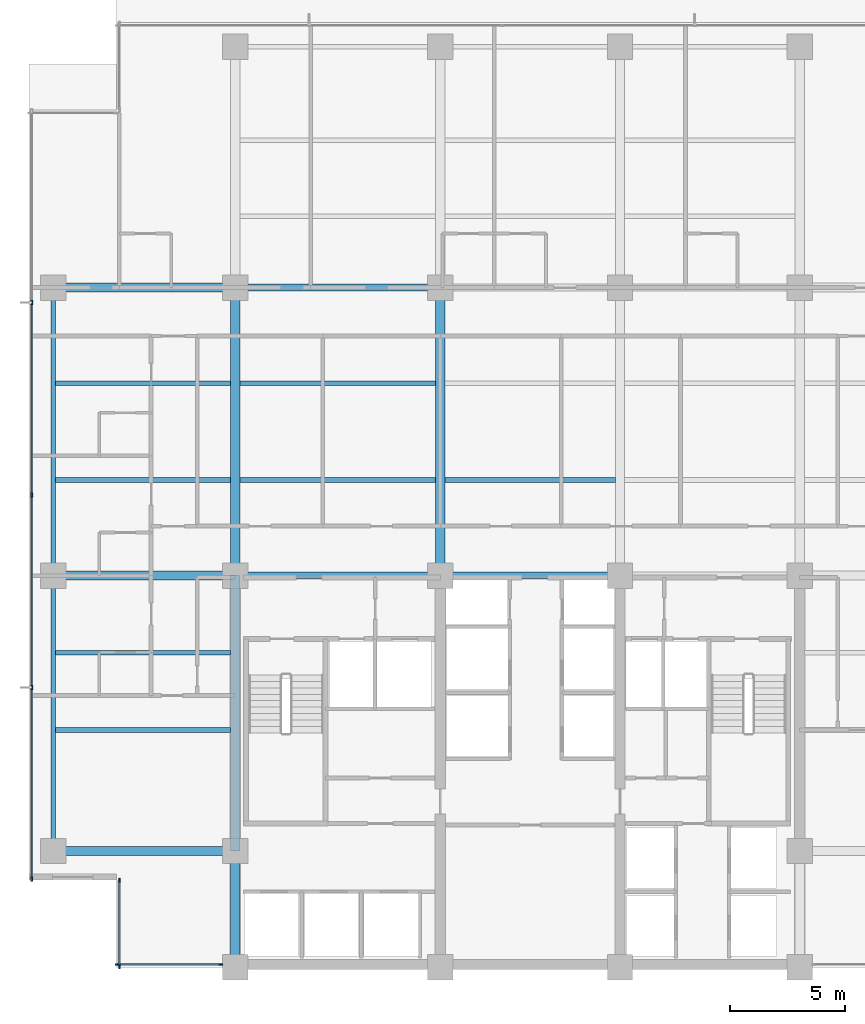
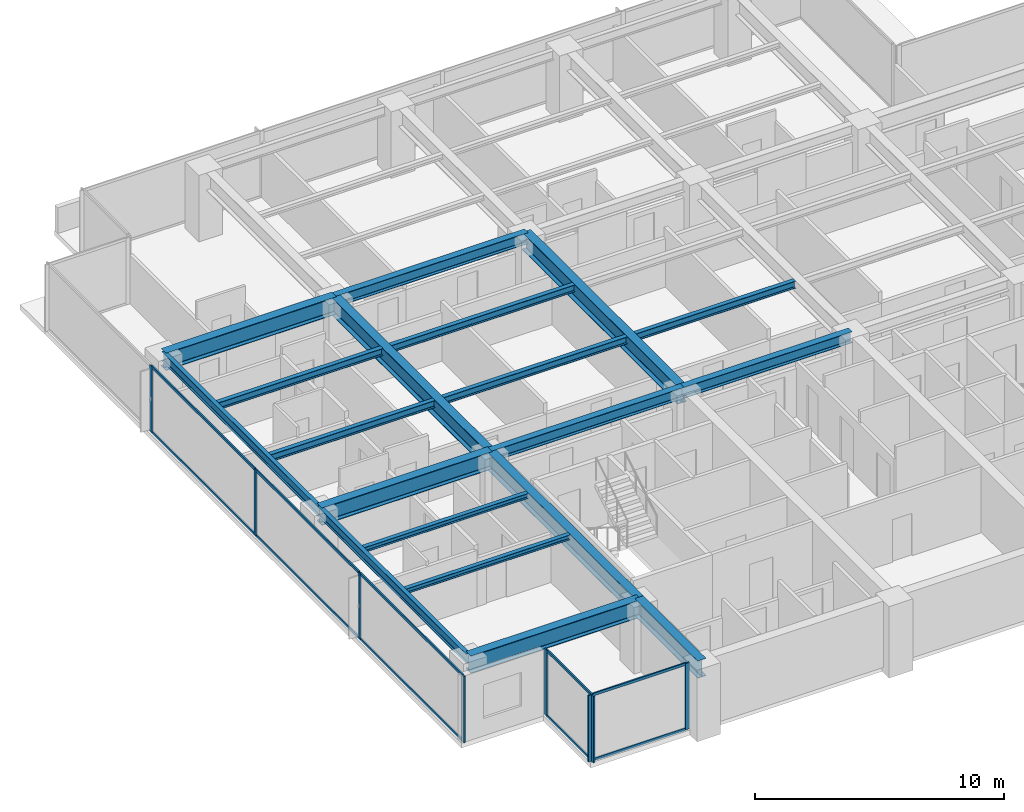
# One storey, part 2 of 16: 19 beams, 18 members, 3 elements without a shape of their own.
"""IFC4 building model written with IfcOpenShell, lengths in metres."""

from ifc_helpers import new_model, si_unit, direction, frame, origin, origin_2d, place, context, subcontext, project, spatial, rectangle, i_section, extrude, material, layer, layer_set, material_profile, profile_set, type_object, element, aggregate, save


model = new_model("IFC4")

# Units and contexts
model_context = context("Model", 3, precision=1e-05, world=origin(), true_north=direction((0.0, 1.0)))
body_context = subcontext(model_context, "Body", "Model", "MODEL_VIEW")
ifc_project = project(units=[si_unit("LENGTHUNIT", "METRE"), si_unit("AREAUNIT", "SQUARE_METRE"), si_unit("VOLUMEUNIT", "CUBIC_METRE"), si_unit("PLANEANGLEUNIT", "RADIAN"), si_unit("MASSUNIT", "GRAM", prefix="KILO")], contexts=[model_context])

# Site, building, storey
site_placement = place(None, origin())
site = spatial("IfcSite", under=ifc_project, at=site_placement, CompositionType="ELEMENT")
building_placement = place(site_placement, origin())
building = spatial("IfcBuilding", under=site, at=building_placement, Name="Qalmaran Belvedere Hotel", CompositionType="ELEMENT")
storey_placement = place(building_placement, frame((0.0, 0.0, 138.60009765625)))
storey = spatial("IfcBuildingStorey", under=building, at=storey_placement, Name="L34", CompositionType="ELEMENT", Elevation=138.60009765625)

# Beams
ifc_material_1 = material(Name="Steel S355JR", Category="steel")
ifc_material_profile_1 = material_profile(ifc_material_1, i_section(OverallWidth=0.201904296875, OverallDepth=0.2470703125, WebThickness=0.00732421875, FlangeThickness=0.010986328125, FilletRadius=0.011962890625, at=origin_2d()), Name="W250X49")
ifc_profile_set_1 = profile_set([ifc_material_profile_1], Name="Steel S355JR")
beam_type_1 = type_object("IfcBeamType", Name="BM-JST-W250X49", PredefinedType="JOIST", material=ifc_profile_set_1)
for number, where, z_axis, x_axis, name in (
    (1, (12.493896484375, 13.800048828125, 3.12646484375), (1.0, 0.0, 0.0), (0.0, 1.0, 0.0), "L34 West Wing Joist 038"),
    (2, (12.493896484375, 17.14990234375, 3.12646484375), (1.0, 0.0, 0.0), (0.0, 1.0, 0.0), "L34 West Wing Joist 040"),
):
    element("IfcBeam", number, at=place(storey_placement, frame(where, z_axis=z_axis, x_axis=x_axis)), inside=storey, type_object=beam_type_1, Name=name, PredefinedType="JOIST", context=body_context, shape_type="SweptSolid", body=[
        extrude(i_section(OverallWidth=0.201904296875, OverallDepth=0.2470703125, WebThickness=0.00732421875, FlangeThickness=0.010986328125, FilletRadius=0.011962890625, at=origin_2d()), origin(), (0.0, 0.0, 1.0), 7.608154296875),
    ])
ifc_material_profile_2 = material_profile(ifc_material_1, i_section(OverallWidth=0.39990234375, OverallDepth=0.85498046875, WebThickness=0.018310546875, FlangeThickness=0.029296875, FilletRadius=0.02392578125, at=origin_2d()), Name="W840X299")
ifc_profile_set_2 = profile_set([ifc_material_profile_2], Name="Steel S355JR")
beam_type_2 = type_object("IfcBeamType", Name="BM-PG3-W840X299", PredefinedType="USERDEFINED", material=ifc_profile_set_2)
for number, where, z_axis, x_axis, name in (
    (3, (20.300048828125, 20.5, 2.822509765625), (0.0, 1.0, 0.0), (-1.0, 0.0, 0.0), "L34 Mid-Plate N-S Girder 14"),
    (4, (29.199951171875, 20.5, 2.822509765625), (0.0, 1.0, 0.0), (-1.0, 0.0, 0.0), "L34 Mid-Plate N-S Girder 16"),
):
    element("IfcBeam", number, at=place(storey_placement, frame(where, z_axis=z_axis, x_axis=x_axis)), inside=storey, type_object=beam_type_2, Name=name, ObjectType="GIRDER", PredefinedType="USERDEFINED", context=body_context, shape_type="SweptSolid", body=[
        extrude(i_section(OverallWidth=0.39990234375, OverallDepth=0.85498046875, WebThickness=0.018310546875, FlangeThickness=0.029296875, FilletRadius=0.02392578125, at=origin_2d()), origin(), (0.0, 0.0, 1.0), 12.5),
    ])
for number, where, z_axis, x_axis, name in (
    (5, (12.39990234375, 8.550048828125, 2.822509765625), (1.0, 0.0, 0.0), (0.0, 1.0, 0.0), "L34 West Wing Girder 22"),
    (6, (12.39990234375, 20.5, 2.822509765625), (1.0, 0.0, 0.0), (0.0, 1.0, 0.0), "L34 West Wing Girder 23"),
    (7, (12.39990234375, 33.0, 2.822509765625), (1.0, 0.0, 0.0), (0.0, 1.0, 0.0), "L34 West Wing Girder 24"),
):
    element("IfcBeam", number, at=place(storey_placement, frame(where, z_axis=z_axis, x_axis=x_axis)), inside=storey, type_object=beam_type_2, Name=name, ObjectType="GIRDER", PredefinedType="USERDEFINED", context=body_context, shape_type="SweptSolid", body=[
        extrude(i_section(OverallWidth=0.39990234375, OverallDepth=0.85498046875, WebThickness=0.018310546875, FlangeThickness=0.029296875, FilletRadius=0.02392578125, at=origin_2d()), origin(), (0.0, 0.0, 1.0), 7.900146484375),
    ])
beam_1_placement = place(storey_placement, frame((20.300048828125, 3.5, 2.822509765625), z_axis=(0.0, 1.0, 0.0), x_axis=(-1.0, 0.0, 0.0)))
element("IfcBeam", 8, at=beam_1_placement, inside=storey, type_object=beam_type_2, Name="L34 West Core Edge Girder A", ObjectType="GIRDER", PredefinedType="USERDEFINED", context=body_context, shape_type="SweptSolid", body=[
    extrude(i_section(OverallWidth=0.39990234375, OverallDepth=0.85498046875, WebThickness=0.018310546875, FlangeThickness=0.029296875, FilletRadius=0.02392578125, at=origin_2d()), origin(), (0.0, 0.0, 1.0), 5.050048828125),
])
beam_2_placement = place(storey_placement, frame((20.300048828125, 8.550048828125, 2.822509765625), z_axis=(0.0, 1.0, 0.0), x_axis=(-1.0, 0.0, 0.0)))
element("IfcBeam", 9, at=beam_2_placement, inside=storey, type_object=beam_type_2, Name="L34 West Core Edge Girder B", ObjectType="GIRDER", PredefinedType="USERDEFINED", context=body_context, shape_type="SweptSolid", body=[
    extrude(i_section(OverallWidth=0.39990234375, OverallDepth=0.85498046875, WebThickness=0.018310546875, FlangeThickness=0.029296875, FilletRadius=0.02392578125, at=origin_2d()), origin(), (0.0, 0.0, 1.0), 11.949951171875),
])
ifc_material_profile_3 = material_profile(ifc_material_1, i_section(OverallWidth=0.205078125, OverallDepth=0.35400390625, WebThickness=0.009521484375, FlangeThickness=0.016845703125, FilletRadius=0.014892578125, at=origin_2d()), Name="W360X79")
ifc_profile_set_3 = profile_set([ifc_material_profile_3], Name="Steel S355JR")
beam_type_3 = type_object("IfcBeamType", Name="BM-SB3-W360X79", PredefinedType="BEAM", material=ifc_profile_set_3)
beam_3_placement = place(storey_placement, frame((12.493896484375, 24.64990234375, 3.072998046875), z_axis=(1.0, 0.0, 0.0), x_axis=(0.0, 1.0, 0.0)))
element("IfcBeam", 10, at=beam_3_placement, inside=storey, type_object=beam_type_3, Name="L34 West Secondary Beam 028", PredefinedType="BEAM", context=body_context, shape_type="SweptSolid", body=[
    extrude(i_section(OverallWidth=0.205078125, OverallDepth=0.35400390625, WebThickness=0.009521484375, FlangeThickness=0.016845703125, FilletRadius=0.014892578125, at=origin_2d()), origin(), (0.0, 0.0, 1.0), 7.608154296875),
])
beam_4_placement = place(storey_placement, frame((20.498046875, 24.64990234375, 3.072998046875), z_axis=(1.0, 0.0, 0.0), x_axis=(0.0, 1.0, 0.0)))
element("IfcBeam", 11, at=beam_4_placement, inside=storey, type_object=beam_type_3, Name="L34 Secondary Floor Beam 029", PredefinedType="BEAM", context=body_context, shape_type="SweptSolid", body=[
    extrude(i_section(OverallWidth=0.205078125, OverallDepth=0.35400390625, WebThickness=0.009521484375, FlangeThickness=0.016845703125, FilletRadius=0.014892578125, at=origin_2d()), origin(), (0.0, 0.0, 1.0), 8.50390625),
])
beam_5_placement = place(storey_placement, frame((29.39794921875, 24.64990234375, 3.072998046875), z_axis=(1.0, 0.0, 0.0), x_axis=(0.0, 1.0, 0.0)))
element("IfcBeam", 12, at=beam_5_placement, inside=storey, type_object=beam_type_3, Name="L34 Secondary Floor Beam 030", PredefinedType="BEAM", context=body_context, shape_type="SweptSolid", body=[
    extrude(i_section(OverallWidth=0.205078125, OverallDepth=0.35400390625, WebThickness=0.009521484375, FlangeThickness=0.016845703125, FilletRadius=0.014892578125, at=origin_2d()), origin(), (0.0, 0.0, 1.0), 7.404052734375),
])
beam_6_placement = place(storey_placement, frame((12.493896484375, 28.85009765625, 3.072998046875), z_axis=(1.0, 0.0, 0.0), x_axis=(0.0, 1.0, 0.0)))
element("IfcBeam", 13, at=beam_6_placement, inside=storey, type_object=beam_type_3, Name="L34 West Secondary Beam 033", PredefinedType="BEAM", context=body_context, shape_type="SweptSolid", body=[
    extrude(i_section(OverallWidth=0.205078125, OverallDepth=0.35400390625, WebThickness=0.009521484375, FlangeThickness=0.016845703125, FilletRadius=0.014892578125, at=origin_2d()), origin(), (0.0, 0.0, 1.0), 7.608154296875),
])
beam_7_placement = place(storey_placement, frame((20.498046875, 28.85009765625, 3.072998046875), z_axis=(1.0, 0.0, 0.0), x_axis=(0.0, 1.0, 0.0)))
element("IfcBeam", 14, at=beam_7_placement, inside=storey, type_object=beam_type_3, Name="L34 Secondary Floor Beam 034", PredefinedType="BEAM", context=body_context, shape_type="SweptSolid", body=[
    extrude(i_section(OverallWidth=0.205078125, OverallDepth=0.35400390625, WebThickness=0.009521484375, FlangeThickness=0.016845703125, FilletRadius=0.014892578125, at=origin_2d()), origin(), (0.0, 0.0, 1.0), 8.50390625),
])
ifc_material_profile_4 = material_profile(ifc_material_1, i_section(OverallWidth=0.19189453125, OverallDepth=0.462890625, WebThickness=0.010498046875, FlangeThickness=0.017578125, FilletRadius=0.01611328125, at=origin_2d()), Name="W460X89")
ifc_profile_set_4 = profile_set([ifc_material_profile_4], Name="Steel S355JR")
beam_type_4 = type_object("IfcBeamType", Name="BM-SP2-W460X89", PredefinedType="SPANDREL", material=ifc_profile_set_4)
beam_8_placement = place(storey_placement, frame((12.39990234375, 8.550048828125, 3.018310546875), z_axis=(0.0, 1.0, 0.0), x_axis=(-1.0, 0.0, 0.0)))
element("IfcBeam", 15, at=beam_8_placement, inside=storey, type_object=beam_type_4, Name="L34 Perimeter Spandrel 01", PredefinedType="SPANDREL", context=body_context, shape_type="SweptSolid", body=[
    extrude(i_section(OverallWidth=0.19189453125, OverallDepth=0.462890625, WebThickness=0.010498046875, FlangeThickness=0.017578125, FilletRadius=0.01611328125, at=origin_2d()), origin(), (0.0, 0.0, 1.0), 11.949951171875),
])
beam_9_placement = place(storey_placement, frame((12.39990234375, 20.5, 3.018310546875), z_axis=(0.0, 1.0, 0.0), x_axis=(-1.0, 0.0, 0.0)))
element("IfcBeam", 16, at=beam_9_placement, inside=storey, type_object=beam_type_4, Name="L34 Perimeter Spandrel 02", PredefinedType="SPANDREL", context=body_context, shape_type="SweptSolid", body=[
    extrude(i_section(OverallWidth=0.19189453125, OverallDepth=0.462890625, WebThickness=0.010498046875, FlangeThickness=0.017578125, FilletRadius=0.01611328125, at=origin_2d()), origin(), (0.0, 0.0, 1.0), 12.5),
])
ifc_material_profile_5 = material_profile(ifc_material_1, i_section(OverallWidth=0.31201171875, OverallDepth=0.54296875, WebThickness=0.0126953125, FlangeThickness=0.020263671875, FilletRadius=0.01806640625, at=origin_2d()), Name="W530X150")
ifc_profile_set_5 = profile_set([ifc_material_profile_5], Name="Steel S355JR")
beam_type_5 = type_object("IfcBeamType", Name="BM-Z3-W530X150", PredefinedType="USERDEFINED", material=ifc_profile_set_5)
beam_10_placement = place(storey_placement, frame((20.300048828125, 20.5, 2.978515625), z_axis=(1.0, 0.0, 0.0), x_axis=(0.0, 1.0, 0.0)))
element("IfcBeam", 17, at=beam_10_placement, inside=storey, type_object=beam_type_5, Name="L34 Interior E-W Girder 08", ObjectType="GIRDER", PredefinedType="USERDEFINED", context=body_context, shape_type="SweptSolid", body=[
    extrude(i_section(OverallWidth=0.31201171875, OverallDepth=0.54296875, WebThickness=0.0126953125, FlangeThickness=0.020263671875, FilletRadius=0.01806640625, at=origin_2d()), origin(), (0.0, 0.0, 1.0), 8.89990234375),
])
beam_11_placement = place(storey_placement, frame((29.199951171875, 20.5, 2.978515625), z_axis=(1.0, 0.0, 0.0), x_axis=(0.0, 1.0, 0.0)))
element("IfcBeam", 18, at=beam_11_placement, inside=storey, type_object=beam_type_5, Name="L34 Interior E-W Girder 09", ObjectType="GIRDER", PredefinedType="USERDEFINED", context=body_context, shape_type="SweptSolid", body=[
    extrude(i_section(OverallWidth=0.31201171875, OverallDepth=0.54296875, WebThickness=0.0126953125, FlangeThickness=0.020263671875, FilletRadius=0.01806640625, at=origin_2d()), origin(), (0.0, 0.0, 1.0), 7.800048828125),
])
beam_12_placement = place(storey_placement, frame((20.300048828125, 33.0, 2.978515625), z_axis=(1.0, 0.0, 0.0), x_axis=(0.0, 1.0, 0.0)))
element("IfcBeam", 19, at=beam_12_placement, inside=storey, type_object=beam_type_5, Name="L34 Interior E-W Girder 11", ObjectType="GIRDER", PredefinedType="USERDEFINED", context=body_context, shape_type="SweptSolid", body=[
    extrude(i_section(OverallWidth=0.31201171875, OverallDepth=0.54296875, WebThickness=0.0126953125, FlangeThickness=0.020263671875, FilletRadius=0.01806640625, at=origin_2d()), origin(), (0.0, 0.0, 1.0), 8.89990234375),
])

# Curtain wall, members
ifc_material_2 = material(Name="Anodised Bronze Aluminium", Category="aluminium")
ifc_layer = layer(ifc_material_2, 0.195068359375, Name="Anodised Bronze Aluminium")
ifc_layer_set = layer_set([ifc_layer], Name="Anodised Bronze Aluminium")
curtain_wall_type = type_object("IfcCurtainWallType", Name="CW4-TOWER-HIGHMID", PredefinedType="NOTDEFINED", material=ifc_layer_set)
curtain_wall_1_placement = place(storey_placement, origin())
curtain_wall_1 = element("IfcCurtainWall", 20, at=curtain_wall_1_placement, inside=storey, type_object=curtain_wall_type, Name="L34 Curtain Wall CW4", PredefinedType="NOTDEFINED")
ifc_material_profile_6 = material_profile(ifc_material_2, rectangle(XDim=0.070068359375, YDim=0.18994140625, at=origin_2d()), Name="CWM70X190")
ifc_profile_set_6 = profile_set([ifc_material_profile_6], Name="Anodised Bronze Aluminium")
member_type_1 = type_object("IfcMemberType", Name="CWM-70X190", PredefinedType="MULLION", material=ifc_profile_set_6)
member_1_placement = place(storey_placement, frame((15.18505859375, 3.6201171875, 0.0), z_axis=(0.0, 0.0, 1.0), x_axis=(0.0, 1.0, 0.0)))
member_1 = element("IfcMember", 21, at=member_1_placement, type_object=member_type_1, Name="CW4 mullion 1", PredefinedType="MULLION", context=body_context, shape_type="SweptSolid", body=[
    extrude(rectangle(XDim=0.070068359375, YDim=0.18994140625, at=origin_2d()), origin(), (0.0, 0.0, 1.0), 3.25),
])
member_2_placement = place(storey_placement, frame((19.675048828125, 3.6201171875, 0.0), z_axis=(0.0, 0.0, 1.0), x_axis=(0.0, 1.0, 0.0)))
member_2 = element("IfcMember", 22, at=member_2_placement, type_object=member_type_1, Name="CW4 mullion 2", PredefinedType="MULLION", context=body_context, shape_type="SweptSolid", body=[
    extrude(rectangle(XDim=0.070068359375, YDim=0.18994140625, at=origin_2d()), origin(), (0.0, 0.0, 1.0), 3.25),
])

curtain_wall_2_placement = place(storey_placement, origin())
curtain_wall_2 = element("IfcCurtainWall", 23, at=curtain_wall_2_placement, inside=storey, type_object=curtain_wall_type, Name="L34 Curtain Wall CW4", PredefinedType="NOTDEFINED")
member_3_placement = place(storey_placement, frame((11.469970703125, 32.35009765625, 0.0), z_axis=(0.0, 0.0, 1.0), x_axis=(1.0, 0.0, 0.0)))
member_3 = element("IfcMember", 24, at=member_3_placement, type_object=member_type_1, Name="CW4 mullion 2", PredefinedType="MULLION", context=body_context, shape_type="SweptSolid", body=[
    extrude(rectangle(XDim=0.070068359375, YDim=0.18994140625, at=origin_2d()), origin(), (0.0, 0.0, 1.0), 3.25),
])
member_4_placement = place(storey_placement, frame((11.469970703125, 24.0, 0.0), z_axis=(0.0, 0.0, 1.0), x_axis=(1.0, 0.0, 0.0)))
member_4 = element("IfcMember", 25, at=member_4_placement, type_object=member_type_1, Name="CW4 mullion 3", PredefinedType="MULLION", context=body_context, shape_type="SweptSolid", body=[
    extrude(rectangle(XDim=0.070068359375, YDim=0.18994140625, at=origin_2d()), origin(), (0.0, 0.0, 1.0), 3.25),
])
member_5_placement = place(storey_placement, frame((11.469970703125, 15.64990234375, 0.0), z_axis=(0.0, 0.0, 1.0), x_axis=(1.0, 0.0, 0.0)))
member_5 = element("IfcMember", 26, at=member_5_placement, type_object=member_type_1, Name="CW4 mullion 4", PredefinedType="MULLION", context=body_context, shape_type="SweptSolid", body=[
    extrude(rectangle(XDim=0.070068359375, YDim=0.18994140625, at=origin_2d()), origin(), (0.0, 0.0, 1.0), 3.25),
])
member_6_placement = place(storey_placement, frame((11.469970703125, 7.3349609375, 0.0), z_axis=(0.0, 0.0, 1.0), x_axis=(1.0, 0.0, 0.0)))
member_6 = element("IfcMember", 27, at=member_6_placement, type_object=member_type_1, Name="CW4 mullion 5", PredefinedType="MULLION", context=body_context, shape_type="SweptSolid", body=[
    extrude(rectangle(XDim=0.070068359375, YDim=0.18994140625, at=origin_2d()), origin(), (0.0, 0.0, 1.0), 3.25),
])

curtain_wall_3_placement = place(storey_placement, origin())
curtain_wall_3 = element("IfcCurtainWall", 28, at=curtain_wall_3_placement, inside=storey, type_object=curtain_wall_type, Name="L34 Curtain Wall CW4", PredefinedType="NOTDEFINED")
member_7_placement = place(storey_placement, frame((15.27001953125, 7.264892578125, 0.0), z_axis=(0.0, 0.0, 1.0), x_axis=(1.0, 0.0, 0.0)))
member_7 = element("IfcMember", 29, at=member_7_placement, type_object=member_type_1, Name="CW4 mullion 1", PredefinedType="MULLION", context=body_context, shape_type="SweptSolid", body=[
    extrude(rectangle(XDim=0.070068359375, YDim=0.18994140625, at=origin_2d()), origin(), (0.0, 0.0, 1.0), 3.25),
])
member_8_placement = place(storey_placement, frame((15.27001953125, 3.534912109375, 0.0), z_axis=(0.0, 0.0, 1.0), x_axis=(1.0, 0.0, 0.0)))
member_8 = element("IfcMember", 30, at=member_8_placement, type_object=member_type_1, Name="CW4 mullion 2", PredefinedType="MULLION", context=body_context, shape_type="SweptSolid", body=[
    extrude(rectangle(XDim=0.070068359375, YDim=0.18994140625, at=origin_2d()), origin(), (0.0, 0.0, 1.0), 3.25),
])

# Member
ifc_material_profile_7 = material_profile(ifc_material_2, rectangle(XDim=0.06494140625, YDim=0.1298828125, at=origin_2d()), Name="CWT65X130")
ifc_profile_set_7 = profile_set([ifc_material_profile_7], Name="Anodised Bronze Aluminium")
member_type_2 = type_object("IfcMemberType", Name="CWT-65X130", PredefinedType="USERDEFINED", material=ifc_profile_set_7)
member_9_placement = place(storey_placement, frame((15.219970703125, 3.6201171875, 0.032470703125), z_axis=(1.0, 0.0, 0.0), x_axis=(0.0, 1.0, 0.0)))
member_9 = element("IfcMember", 31, at=member_9_placement, type_object=member_type_2, Name="CW4 transom 1.1", ObjectType="TRANSOM", PredefinedType="USERDEFINED", context=body_context, shape_type="SweptSolid", body=[
    extrude(rectangle(XDim=0.06494140625, YDim=0.1298828125, at=origin_2d()), origin(), (0.0, 0.0, 1.0), 4.419921875),
])

member_10_placement = place(storey_placement, frame((15.219970703125, 3.6201171875, 3.21728515625), z_axis=(1.0, 0.0, 0.0), x_axis=(0.0, 1.0, 0.0)))
member_10 = element("IfcMember", 32, at=member_10_placement, type_object=member_type_2, Name="CW4 transom 1.2", ObjectType="TRANSOM", PredefinedType="USERDEFINED", context=body_context, shape_type="SweptSolid", body=[
    extrude(rectangle(XDim=0.06494140625, YDim=0.1298828125, at=origin_2d()), origin(), (0.0, 0.0, 1.0), 4.419921875),
])

aggregate(curtain_wall_1, [member_1, member_2, member_9, member_10])

member_11_placement = place(storey_placement, frame((11.469970703125, 32.31494140625, 0.032470703125), z_axis=(0.0, -1.0, 0.0), x_axis=(1.0, 0.0, 0.0)))
member_11 = element("IfcMember", 33, at=member_11_placement, type_object=member_type_2, Name="CW4 transom 2.1", ObjectType="TRANSOM", PredefinedType="USERDEFINED", context=body_context, shape_type="SweptSolid", body=[
    extrude(rectangle(XDim=0.06494140625, YDim=0.1298828125, at=origin_2d()), origin(), (0.0, 0.0, 1.0), 8.280029296875),
])

member_12_placement = place(storey_placement, frame((11.469970703125, 32.31494140625, 3.21728515625), z_axis=(0.0, -1.0, 0.0), x_axis=(1.0, 0.0, 0.0)))
member_12 = element("IfcMember", 34, at=member_12_placement, type_object=member_type_2, Name="CW4 transom 2.2", ObjectType="TRANSOM", PredefinedType="USERDEFINED", context=body_context, shape_type="SweptSolid", body=[
    extrude(rectangle(XDim=0.06494140625, YDim=0.1298828125, at=origin_2d()), origin(), (0.0, 0.0, 1.0), 8.280029296875),
])

member_13_placement = place(storey_placement, frame((11.469970703125, 23.965087890625, 0.032470703125), z_axis=(0.0, -1.0, 0.0), x_axis=(1.0, 0.0, 0.0)))
member_13 = element("IfcMember", 35, at=member_13_placement, type_object=member_type_2, Name="CW4 transom 3.1", ObjectType="TRANSOM", PredefinedType="USERDEFINED", context=body_context, shape_type="SweptSolid", body=[
    extrude(rectangle(XDim=0.06494140625, YDim=0.1298828125, at=origin_2d()), origin(), (0.0, 0.0, 1.0), 8.280029296875),
])

member_14_placement = place(storey_placement, frame((11.469970703125, 23.965087890625, 3.21728515625), z_axis=(0.0, -1.0, 0.0), x_axis=(1.0, 0.0, 0.0)))
member_14 = element("IfcMember", 36, at=member_14_placement, type_object=member_type_2, Name="CW4 transom 3.2", ObjectType="TRANSOM", PredefinedType="USERDEFINED", context=body_context, shape_type="SweptSolid", body=[
    extrude(rectangle(XDim=0.06494140625, YDim=0.1298828125, at=origin_2d()), origin(), (0.0, 0.0, 1.0), 8.280029296875),
])

member_15_placement = place(storey_placement, frame((11.469970703125, 15.614990234375, 0.032470703125), z_axis=(0.0, -1.0, 0.0), x_axis=(1.0, 0.0, 0.0)))
member_15 = element("IfcMember", 37, at=member_15_placement, type_object=member_type_2, Name="CW4 transom 4.1", ObjectType="TRANSOM", PredefinedType="USERDEFINED", context=body_context, shape_type="SweptSolid", body=[
    extrude(rectangle(XDim=0.06494140625, YDim=0.1298828125, at=origin_2d()), origin(), (0.0, 0.0, 1.0), 8.244873046875),
])

member_16_placement = place(storey_placement, frame((11.469970703125, 15.614990234375, 3.21728515625), z_axis=(0.0, -1.0, 0.0), x_axis=(1.0, 0.0, 0.0)))
member_16 = element("IfcMember", 38, at=member_16_placement, type_object=member_type_2, Name="CW4 transom 4.2", ObjectType="TRANSOM", PredefinedType="USERDEFINED", context=body_context, shape_type="SweptSolid", body=[
    extrude(rectangle(XDim=0.06494140625, YDim=0.1298828125, at=origin_2d()), origin(), (0.0, 0.0, 1.0), 8.244873046875),
])

aggregate(curtain_wall_2, [member_3, member_4, member_5, member_6, member_11, member_12, member_13, member_14, member_15, member_16])

member_17_placement = place(storey_placement, frame((15.27001953125, 7.22998046875, 0.032470703125), z_axis=(0.0, -1.0, 0.0), x_axis=(1.0, 0.0, 0.0)))
member_17 = element("IfcMember", 39, at=member_17_placement, type_object=member_type_2, Name="CW4 transom 1.1", ObjectType="TRANSOM", PredefinedType="USERDEFINED", context=body_context, shape_type="SweptSolid", body=[
    extrude(rectangle(XDim=0.06494140625, YDim=0.1298828125, at=origin_2d()), origin(), (0.0, 0.0, 1.0), 3.659912109375),
])

member_18_placement = place(storey_placement, frame((15.27001953125, 7.22998046875, 3.21728515625), z_axis=(0.0, -1.0, 0.0), x_axis=(1.0, 0.0, 0.0)))
member_18 = element("IfcMember", 40, at=member_18_placement, type_object=member_type_2, Name="CW4 transom 1.2", ObjectType="TRANSOM", PredefinedType="USERDEFINED", context=body_context, shape_type="SweptSolid", body=[
    extrude(rectangle(XDim=0.06494140625, YDim=0.1298828125, at=origin_2d()), origin(), (0.0, 0.0, 1.0), 3.659912109375),
])

aggregate(curtain_wall_3, [member_7, member_8, member_17, member_18])

save(model, "model.ifc")
